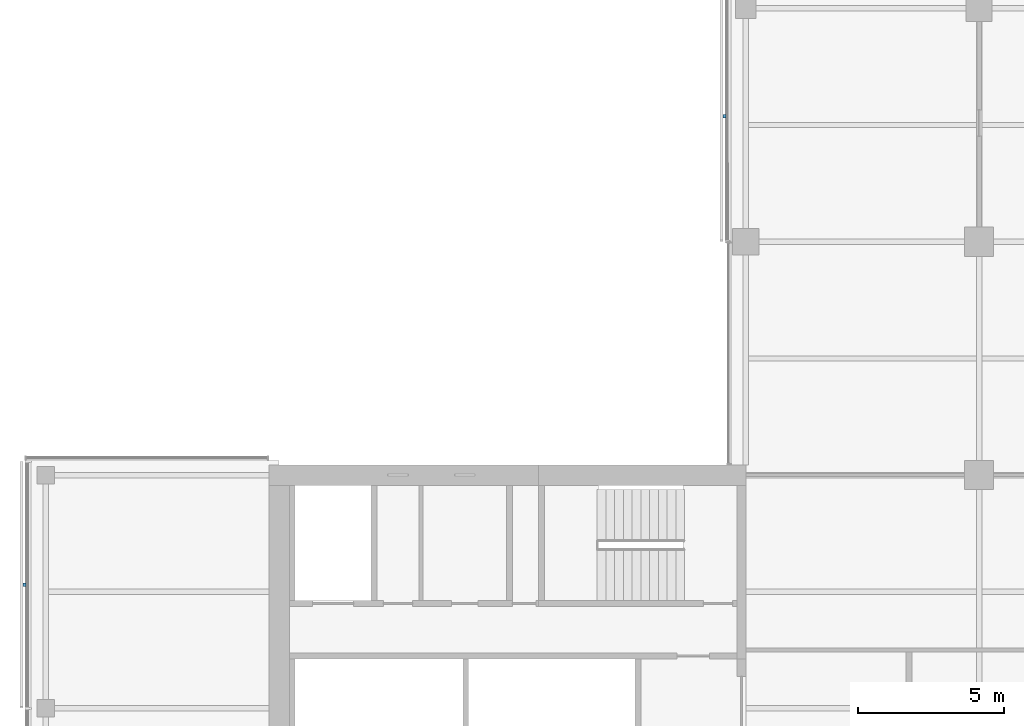
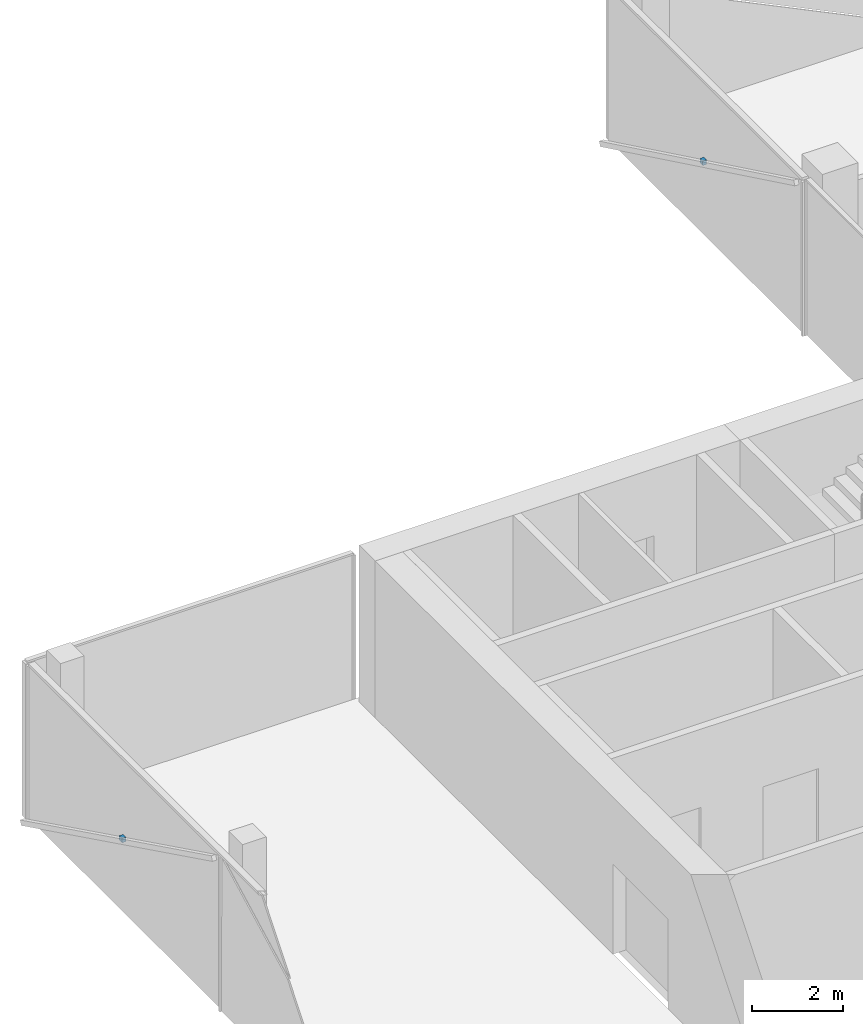
# One storey, part 19 of 22: 2 discrete accessories.
"""IFC4 building model written with IfcOpenShell, lengths in metres."""

from ifc_helpers import new_model, si_unit, direction, frame, origin, origin_2d, place, context, subcontext, project, spatial, rectangle, extrude, material, type_object, element, save


model = new_model("IFC4")

# Units and contexts
model_context = context("Model", 3, precision=1e-05, world=origin(), true_north=direction((0.0, 1.0)))
body_context = subcontext(model_context, "Body", "Model", "MODEL_VIEW")
ifc_project = project(units=[si_unit("LENGTHUNIT", "METRE"), si_unit("AREAUNIT", "SQUARE_METRE"), si_unit("VOLUMEUNIT", "CUBIC_METRE"), si_unit("PLANEANGLEUNIT", "RADIAN"), si_unit("MASSUNIT", "GRAM", prefix="KILO")], contexts=[model_context])

# Site, building, storey
site_placement = place(None, origin())
site = spatial("IfcSite", under=ifc_project, at=site_placement, CompositionType="ELEMENT")
building_placement = place(site_placement, origin())
building = spatial("IfcBuilding", under=site, at=building_placement, Name="Crosswind Convention Tower", CompositionType="ELEMENT")
storey_placement = place(building_placement, frame((0.0, 0.0, 133.699951171875)))
storey = spatial("IfcBuildingStorey", under=building, at=storey_placement, Name="L27", CompositionType="ELEMENT", Elevation=133.699951171875)

# Discrete accessories
ifc_material = material(Name="Stainless steel", Category="steel")
discrete_accessory_type = type_object("IfcDiscreteAccessoryType", Name="BAGUETTE BRACKET BK3", PredefinedType="BRACKET", material=ifc_material)
for number, where, z_axis, x_axis, name in (
    (1, (112.27392578125, 124.304931640625, 1.705078125), (0.0, 0.0, 1.0), (0.0, -1.0, 0.0), "BK3 baguette bracket"),
    (2, (88.27392578125, 108.232421875, 1.705078125), (0.0, 0.0, 1.0), (0.0, -1.0, 0.0), "BK3 baguette bracket"),
):
    element("IfcDiscreteAccessory", number, at=place(storey_placement, frame(where, z_axis=z_axis, x_axis=x_axis)), inside=storey, type_object=discrete_accessory_type, Name=name, PredefinedType="BRACKET", context=body_context, shape_type="SweptSolid", body=[
        extrude(rectangle(XDim=0.1201171875, YDim=0.10009765625, at=origin_2d()), origin(), (0.0, 0.0, 1.0), 0.1201171875),
    ])

save(model, "model.ifc")
